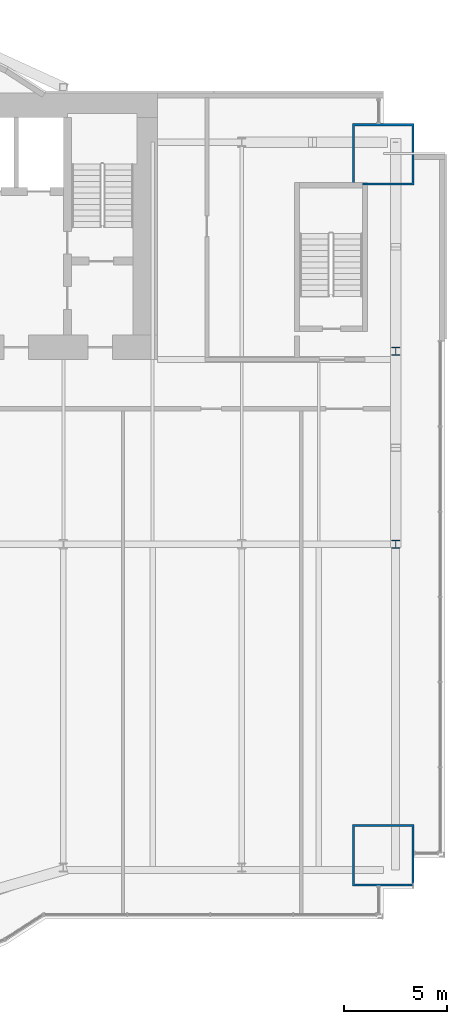
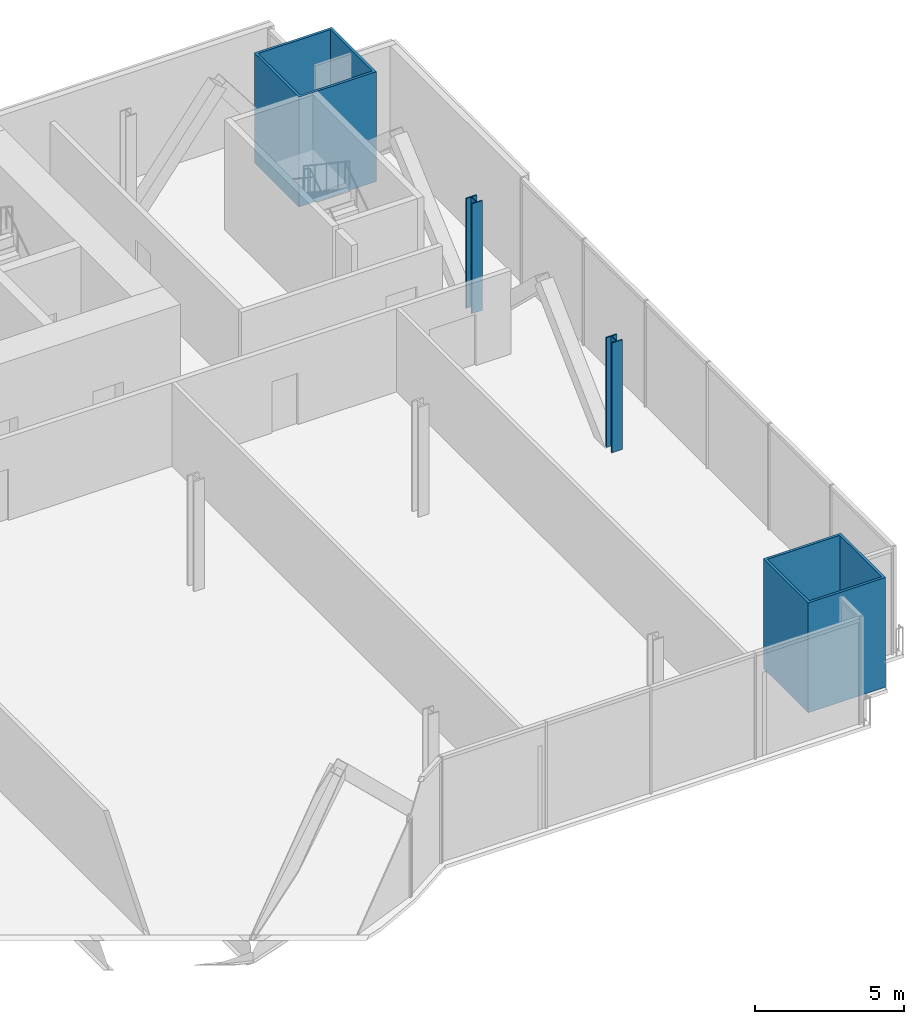
# One storey, part 3 of 21: 4 columns.
"""IFC4 building model written with IfcOpenShell, lengths in metres."""

from ifc_helpers import new_model, si_unit, direction, frame, origin, origin_2d, place, context, subcontext, project, spatial, hollow_rectangle, i_section, extrude, material, material_profile, profile_set, type_object, element, save


model = new_model("IFC4")

# Units and contexts
model_context = context("Model", 3, precision=1e-05, world=origin(), true_north=direction((0.0, 1.0)))
body_context = subcontext(model_context, "Body", "Model", "MODEL_VIEW")
ifc_project = project(units=[si_unit("LENGTHUNIT", "METRE"), si_unit("AREAUNIT", "SQUARE_METRE"), si_unit("VOLUMEUNIT", "CUBIC_METRE"), si_unit("PLANEANGLEUNIT", "RADIAN"), si_unit("MASSUNIT", "GRAM", prefix="KILO")], contexts=[model_context])

# Site, building, storey
site_placement = place(None, origin())
site = spatial("IfcSite", under=ifc_project, at=site_placement, CompositionType="ELEMENT")
building_placement = place(site_placement, origin())
building = spatial("IfcBuilding", under=site, at=building_placement, Name="Bicima Exchange Tower", CompositionType="ELEMENT")
storey_placement = place(building_placement, frame((0.0, 0.0, 66.5)))
storey = spatial("IfcBuildingStorey", under=building, at=storey_placement, Name="L13", CompositionType="ELEMENT", Elevation=66.5)

# Columns
ifc_material_1 = material(Name="Steel ASTM A572 Gr 50", Category="steel")
ifc_material_profile_1 = material_profile(ifc_material_1, hollow_rectangle(XDim=3.0, YDim=3.0, WallThickness=0.10009765625, at=origin_2d()))
ifc_profile_set_1 = profile_set([ifc_material_profile_1], Name="Steel ASTM A572 Gr 50")
column_type_1 = type_object("IfcColumnType", Name="Mega column BOX 3000x3000x100", PredefinedType="COLUMN", material=ifc_profile_set_1)
for number, where, z_axis, x_axis, name in (
    (1, (33.0, -37.169921875, 0.0), (0.0, 0.0, 1.0), (1.0, 0.0, 0.0), "Mega column mega+33.0f"),
    (2, (33.0, -3.0, 0.0), (0.0, 0.0, 1.0), (1.0, 0.0, 0.0), "Mega column mega+33.0r"),
):
    element("IfcColumn", number, at=place(storey_placement, frame(where, z_axis=z_axis, x_axis=x_axis)), inside=storey, type_object=column_type_1, Name=name, PredefinedType="COLUMN", context=body_context, shape_type="SweptSolid", body=[
        extrude(hollow_rectangle(XDim=3.0, YDim=3.0, WallThickness=0.10009765625, at=origin_2d()), origin(), (0.0, 0.0, 1.0), 4.5),
    ])
ifc_material_2 = material(Name="Steel ASTM A992 Gr 50", Category="steel")
ifc_material_profile_2 = material_profile(ifc_material_2, i_section(OverallWidth=0.406494140625, OverallDepth=0.41650390625, WebThickness=0.030029296875, FlangeThickness=0.048095703125, at=origin_2d()))
ifc_profile_set_2 = profile_set([ifc_material_profile_2], Name="Steel ASTM A992 Gr 50")
column_type_2 = type_object("IfcColumnType", Name="Perimeter column W14x257", PredefinedType="COLUMN", material=ifc_profile_set_2)
for number, where, z_axis, x_axis, name in (
    (3, (33.60009765625, -12.60009765625, 0.0), (0.0, 0.0, 1.0), (1.0, 0.0, 0.0), "End column end+33.6e"),
    (4, (33.60009765625, -22.0, 0.0), (0.0, 0.0, 1.0), (1.0, 0.0, 0.0), "End column end+33.6e"),
):
    element("IfcColumn", number, at=place(storey_placement, frame(where, z_axis=z_axis, x_axis=x_axis)), inside=storey, type_object=column_type_2, Name=name, PredefinedType="COLUMN", context=body_context, shape_type="SweptSolid", body=[
        extrude(i_section(OverallWidth=0.406494140625, OverallDepth=0.41650390625, WebThickness=0.030029296875, FlangeThickness=0.048095703125, at=origin_2d()), origin(), (0.0, 0.0, 1.0), 4.5),
    ])

save(model, "model.ifc")
